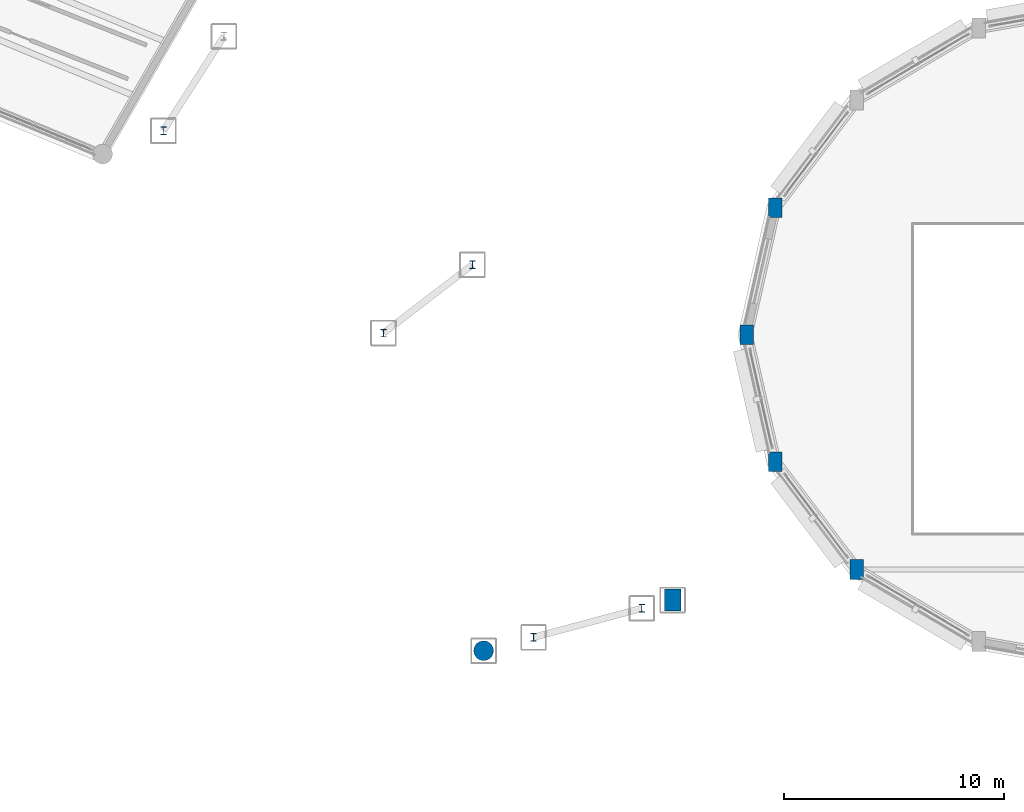
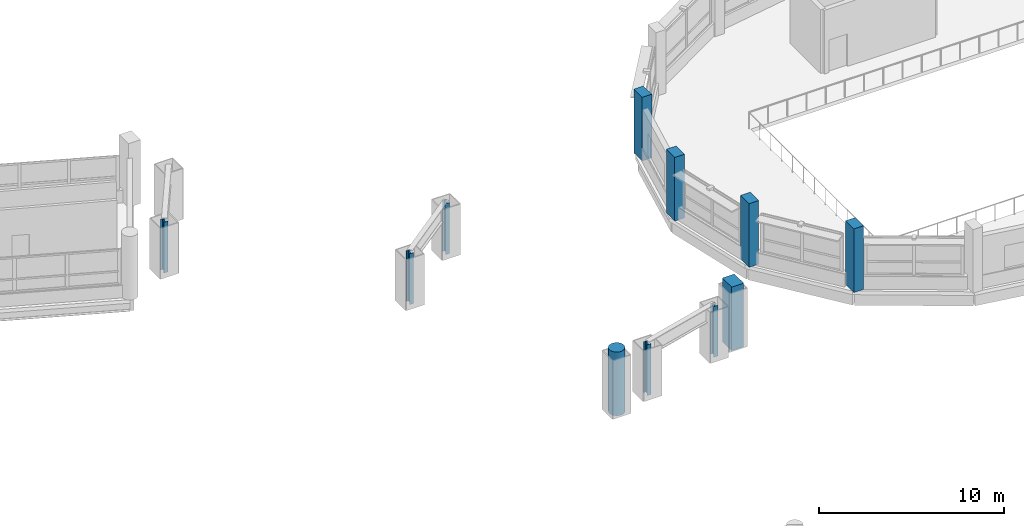
# One storey, part 9 of 128: 11 columns.
"""IFC4 building model written with IfcOpenShell, lengths in metres."""

from ifc_helpers import new_model, si_unit, direction, frame, origin, origin_2d, place, context, subcontext, project, spatial, rectangle, circle, i_section, extrude, material, material_profile, profile_set, type_object, element, save


model = new_model("IFC4")

# Units and contexts
model_context = context("Model", 3, precision=1e-05, world=origin(), true_north=direction((0.0, 1.0)))
body_context = subcontext(model_context, "Body", "Model", "MODEL_VIEW")
ifc_project = project(units=[si_unit("LENGTHUNIT", "METRE"), si_unit("AREAUNIT", "SQUARE_METRE"), si_unit("VOLUMEUNIT", "CUBIC_METRE"), si_unit("PLANEANGLEUNIT", "RADIAN"), si_unit("MASSUNIT", "GRAM", prefix="KILO")], contexts=[model_context])

# Site, building, storey
site_placement = place(None, origin())
site = spatial("IfcSite", under=ifc_project, at=site_placement, CompositionType="ELEMENT")
building_placement = place(site_placement, origin())
building = spatial("IfcBuilding", under=site, at=building_placement, Name="Vespera Passage Community Centre", CompositionType="ELEMENT")
storey_placement = place(building_placement, frame((0.0, 0.0, 4.5)))
storey = spatial("IfcBuildingStorey", under=building, at=storey_placement, Name="L01", CompositionType="ELEMENT", Elevation=4.5)

# Columns
ifc_material_1 = material(Name="Concrete f'c 45 MPa", Category="concrete")
ifc_material_profile_1 = material_profile(ifc_material_1, rectangle(XDim=0.75, YDim=1.0, at=origin_2d()), Name="RC1000X750")
ifc_profile_set_1 = profile_set([ifc_material_profile_1], Name="Concrete f'c 45 MPa")
column_type_1 = type_object("IfcColumnType", Name="COL-RC1000X750E", PredefinedType="COLUMN", material=ifc_profile_set_1)
column_1_placement = place(storey_placement, frame((122.529296875, 77.431640625, 0.0), z_axis=(0.0, 0.0, 1.0), x_axis=(1.0, 0.0, 0.0)))
element("IfcColumn", 1, at=column_1_placement, inside=storey, type_object=column_type_1, Name="L01 Column V4-O01", PredefinedType="COLUMN", context=body_context, shape_type="SweptSolid", body=[
    extrude(rectangle(XDim=0.75, YDim=1.0, at=origin_2d()), origin(), (0.0, 0.0, 1.0), 4.199951171875),
])
ifc_material_2 = material(Name="Concrete f'c 45 MPa", Category="concrete")
ifc_material_profile_2 = material_profile(ifc_material_2, circle(Radius=0.449951171875, at=origin_2d()), Name="RC900DIA")
ifc_profile_set_2 = profile_set([ifc_material_profile_2], Name="Concrete f'c 45 MPa")
column_type_2 = type_object("IfcColumnType", Name="COL-RC900DIAE", PredefinedType="COLUMN", material=ifc_profile_set_2)
column_2_placement = place(storey_placement, frame((113.932373046875, 75.128173828125, 0.0), z_axis=(0.0, 0.0, 1.0), x_axis=(1.0, 0.0, 0.0)))
element("IfcColumn", 2, at=column_2_placement, inside=storey, type_object=column_type_2, Name="L01 Column V4-I01", PredefinedType="COLUMN", context=body_context, shape_type="SweptSolid", body=[
    extrude(circle(Radius=0.449951171875, at=origin_2d()), origin(), (0.0, 0.0, 1.0), 4.199951171875),
])
ifc_material_3 = material(Name="Concrete f'c 45 MPa", Category="concrete")
ifc_material_profile_3 = material_profile(ifc_material_3, rectangle(XDim=0.60009765625, YDim=0.89990234375, at=origin_2d()), Name="RC900X600")
ifc_profile_set_3 = profile_set([ifc_material_profile_3], Name="Concrete f'c 45 MPa")
column_type_3 = type_object("IfcColumnType", Name="COL-RC900X600E", PredefinedType="COLUMN", material=ifc_profile_set_3)
for number, where, z_axis, x_axis, name in (
    (3, (127.20166015625, 95.278564453125, 0.0), (0.0, 0.0, 1.0), (1.0, 0.0, 0.0), "L01 Column V2-P08"),
    (4, (125.89990234375, 89.5, 0.0), (0.0, 0.0, 1.0), (1.0, 0.0, 0.0), "L01 Column V2-P09"),
    (5, (127.20166015625, 83.721435546875, 0.0), (0.0, 0.0, 1.0), (1.0, 0.0, 0.0), "L01 Column V2-P10"),
    (6, (130.908447265625, 78.82275390625, 0.0), (0.0, 0.0, 1.0), (1.0, 0.0, 0.0), "L01 Column V2-P11"),
):
    element("IfcColumn", number, at=place(storey_placement, frame(where, z_axis=z_axis, x_axis=x_axis)), inside=storey, type_object=column_type_3, Name=name, PredefinedType="COLUMN", context=body_context, shape_type="SweptSolid", body=[
        extrude(rectangle(XDim=0.60009765625, YDim=0.89990234375, at=origin_2d()), origin(), (0.0, 0.0, 1.0), 4.199951171875),
    ])
ifc_material_4 = material(Name="Steel ASTM A992 Grade 50", Category="steel")
ifc_material_profile_4 = material_profile(ifc_material_4, i_section(OverallWidth=0.2548828125, OverallDepth=0.356689453125, WebThickness=0.010498046875, FlangeThickness=0.018310546875, FilletRadius=0.01513671875, at=origin_2d()), Name="W14X68")
ifc_profile_set_4 = profile_set([ifc_material_profile_4], Name="Steel ASTM A992 Grade 50")
column_type_4 = type_object("IfcColumnType", Name="COL-W14X68I", PredefinedType="COLUMN", material=ifc_profile_set_4)
for number, where, z_axis, x_axis, name in (
    (7, (116.202392578125, 75.736328125, 0.0), (0.0, 0.0, 1.0), (1.0, 0.0, 0.0), "L01 Column TRANC-I010"),
    (8, (109.377197265625, 89.576416015625, 0.0), (0.0, 0.0, 1.0), (1.0, 0.0, 0.0), "L01 Column TRANC-I025"),
    (9, (99.366455078125, 98.78173828125, 0.0), (0.0, 0.0, 1.0), (1.0, 0.0, 0.0), "L01 Column TRANC-I038"),
    (10, (121.128662109375, 77.056396484375, 0.0), (0.0, 0.0, 1.0), (1.0, 0.0, 0.0), "L01 Column TRANC-O010"),
    (11, (113.423095703125, 92.68115234375, 0.0), (0.0, 0.0, 1.0), (1.0, 0.0, 0.0), "L01 Column TRANC-O025"),
):
    element("IfcColumn", number, at=place(storey_placement, frame(where, z_axis=z_axis, x_axis=x_axis)), inside=storey, type_object=column_type_4, Name=name, PredefinedType="COLUMN", context=body_context, shape_type="SweptSolid", body=[
        extrude(i_section(OverallWidth=0.2548828125, OverallDepth=0.356689453125, WebThickness=0.010498046875, FlangeThickness=0.018310546875, FilletRadius=0.01513671875, at=origin_2d()), origin(), (0.0, 0.0, 1.0), 3.35009765625),
    ])

save(model, "model.ifc")
